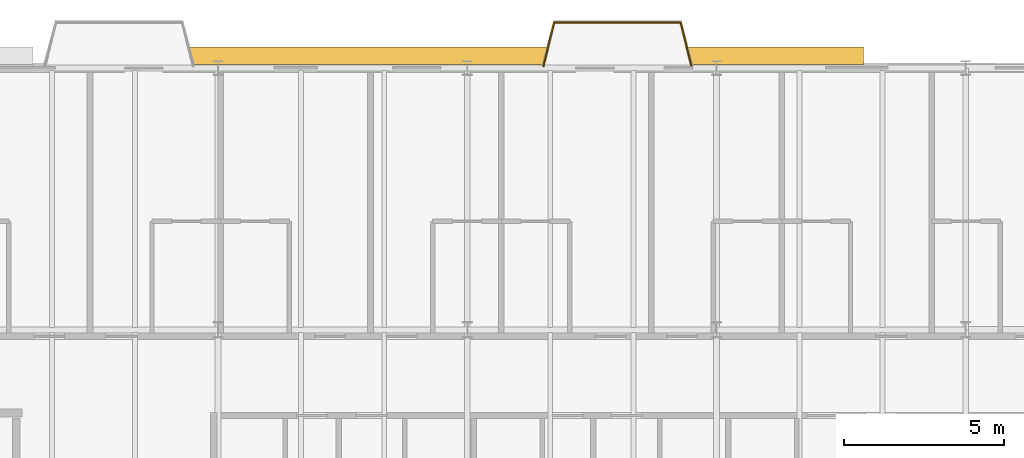
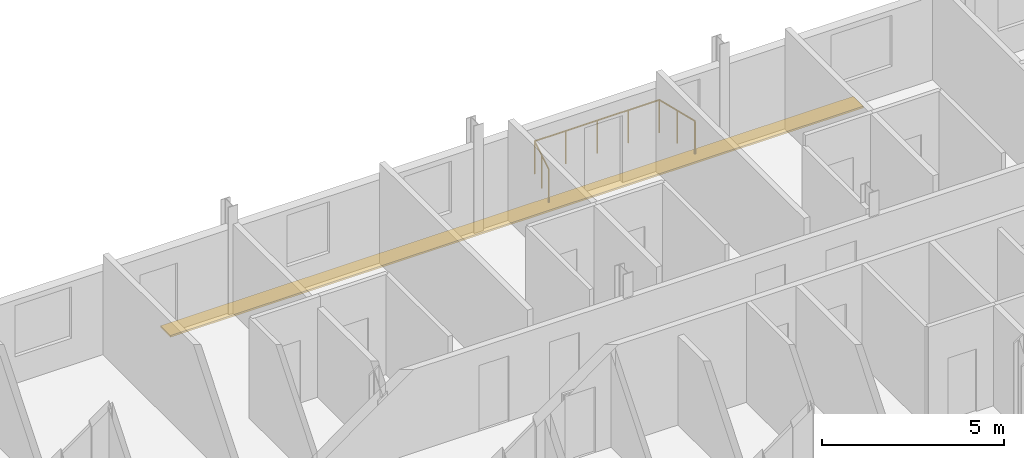
# One storey, part 36 of 36: 3 railings, 1 shading device.
"""IFC4 building model written with IfcOpenShell, lengths in metres."""

import ifcopenshell
import ifcopenshell.guid

model = None  # the IFC model being written
_history = None  # IfcOwnerHistory: only IFC2X3 demands one
_inside = {}  # id of a spatial element -> (the spatial element, [elements in it])
_under = {}  # id of a project, library or spatial element -> (it, [spatial elements below it])
_declared = {}  # id of a project -> (the project, [libraries it declares])
_typed = {}  # id of a type object -> (the type object, [elements of that type])
_made_of = {}  # id of a material, layer set ... -> (it, [elements and type objects made of it])


def new_model(schema):
    """Start an empty IFC model of exactly this schema.

    Asked for "IFC4X3", IfcOpenShell would pick the latest addendum, in which some entities
    have other attributes; the version numbers below select the first issue.
    IFC2X3 requires an IfcOwnerHistory on every rooted entity: one is made here for all.
    """
    global model, _history
    if schema == "IFC4X3":
        model = ifcopenshell.file(schema_version=(4, 3, 0, 0))
    else:
        model = ifcopenshell.file(schema=schema)
    _inside.clear()
    _under.clear()
    _declared.clear()
    _typed.clear()
    _made_of.clear()
    _history = None
    if model.schema == "IFC2X3":
        org = make("IfcOrganization", Name="unknown")
        user = make(
            "IfcPersonAndOrganization",
            ThePerson=make("IfcPerson", FamilyName="unknown"),
            TheOrganization=org,
        )
        app = make(
            "IfcApplication",
            ApplicationDeveloper=org,
            Version="unknown",
            ApplicationFullName="unknown",
            ApplicationIdentifier="unknown",
        )
        _history = make(
            "IfcOwnerHistory",
            OwningUser=user,
            OwningApplication=app,
            ChangeAction="ADDED",
            CreationDate=0,
        )
    return model


def make(cls, **values):
    """One entity of the class cls with the attributes given. An attribute that is None is left unset."""
    return model.create_entity(
        cls, **{name: value for name, value in values.items() if value is not None}
    )


def rooted(cls, **values):
    """An entity with a GlobalId (a new one), such as an element, a storey or a relation."""
    return make(cls, GlobalId=ifcopenshell.guid.new(), OwnerHistory=_history, **values)


def si_unit(unit_type, name, prefix=None):
    """IfcSIUnit, for example si_unit("LENGTHUNIT", "METRE", prefix="MILLI")."""
    return make("IfcSIUnit", UnitType=unit_type, Prefix=prefix, Name=name)


def assignment(units):
    """IfcUnitAssignment: the units of a project."""
    return None if units is None else make("IfcUnitAssignment", Units=units)


def point(xyz):
    """IfcCartesianPoint."""
    return None if xyz is None else make("IfcCartesianPoint", Coordinates=xyz)


def direction(xyz):
    """IfcDirection."""
    return None if xyz is None else make("IfcDirection", DirectionRatios=xyz)


def frame(location, z_axis=None, x_axis=None):
    """IfcAxis2Placement3D, a coordinate frame: its origin and axes. An axis left out is left unset."""
    return make(
        "IfcAxis2Placement3D",
        Location=point(location),
        Axis=direction(z_axis),
        RefDirection=direction(x_axis),
    )


def frame_2d(location, x_axis=None):
    """IfcAxis2Placement2D, a coordinate frame in the plane: its origin and x axis."""
    return make(
        "IfcAxis2Placement2D", Location=point(location), RefDirection=direction(x_axis)
    )


def origin():
    """The frame at (0, 0, 0) with its axes left unset."""
    return frame((0.0, 0.0, 0.0))


def origin_2d():
    """The frame at (0, 0) in the plane with its x axis left unset."""
    return frame_2d((0.0, 0.0))


def place(relative_to, where):
    """IfcLocalPlacement: puts the frame where relative to a parent placement (None: the world)."""
    return make(
        "IfcLocalPlacement", PlacementRelTo=relative_to, RelativePlacement=where
    )


def context(
    kind, dimensions, precision=None, world=None, true_north=None, identifier=None
):
    """IfcGeometricRepresentationContext, for example the 3D "Model" context."""
    return make(
        "IfcGeometricRepresentationContext",
        ContextIdentifier=identifier,
        ContextType=kind,
        CoordinateSpaceDimension=dimensions,
        Precision=precision,
        WorldCoordinateSystem=world,
        TrueNorth=true_north,
    )


def subcontext(parent, identifier, kind, view, scale=None):
    """IfcGeometricRepresentationSubContext, for example "Body" below "Model"."""
    return make(
        "IfcGeometricRepresentationSubContext",
        ContextIdentifier=identifier,
        ContextType=kind,
        ParentContext=parent,
        TargetScale=scale,
        TargetView=view,
    )


def project(units=None, contexts=None):
    """IfcProject with its units and contexts."""
    return rooted(
        "IfcProject",
        Name="project",
        RepresentationContexts=contexts,
        UnitsInContext=assignment(units),
    )


def spatial(cls, under=None, at=None, **own):
    """A site, building, storey or space (cls), placed at a placement, below another one or the project."""
    s = rooted(cls, ObjectPlacement=at, **own)
    if under is not None:
        _under.setdefault(under.id(), (under, []))[1].append(s)
    return s


def profile(cls, at=None, kind="AREA", **sizes):
    """A parametric profile (cls). Its sizes go by their IFC names, for example OverallWidth=200.0."""
    return make(cls, ProfileType=kind, Position=at, **sizes)


def rectangle(**sizes):
    """IfcRectangleProfileDef."""
    return profile("IfcRectangleProfileDef", **sizes)


def circle(**sizes):
    """IfcCircleProfileDef."""
    return profile("IfcCircleProfileDef", **sizes)


def extrude(swept, where, along, depth):
    """IfcExtrudedAreaSolid: the profile swept, set in the frame where, extruded along a direction by depth."""
    return make(
        "IfcExtrudedAreaSolid",
        SweptArea=swept,
        Position=where,
        ExtrudedDirection=direction(along),
        Depth=depth,
    )


def shape(context_of_items, identifier, shape_type, items):
    """IfcShapeRepresentation: the items that make up one representation, for example the "Body"."""
    return make(
        "IfcShapeRepresentation",
        ContextOfItems=context_of_items,
        RepresentationIdentifier=identifier,
        RepresentationType=shape_type,
        Items=items,
    )


def material(Name=None, Category=None):
    """IfcMaterial."""
    return make("IfcMaterial", Name=Name, Category=Category)


def layer(
    of_material, thickness, ventilated=None, Name=None, Category=None, Priority=None
):
    """IfcMaterialLayer: one layer of a wall or slab, of a material (None: an air gap)."""
    return make(
        "IfcMaterialLayer",
        Material=of_material,
        LayerThickness=thickness,
        IsVentilated=ventilated,
        Name=Name,
        Category=Category,
        Priority=Priority,
    )


def layer_set(layers, Name=None):
    """IfcMaterialLayerSet."""
    return make("IfcMaterialLayerSet", MaterialLayers=layers, LayerSetName=Name)


def made_of(thing, what):
    """Note that an element or type object is made of a material, layer set ...; save() writes the relation."""
    if what is not None:
        _made_of.setdefault(what.id(), (what, []))[1].append(thing)
    return thing


def type_object(cls, material=None, **own):
    """A type object (cls), such as IfcWallType, which elements share."""
    return made_of(rooted(cls, **own), material)


def element(
    cls,
    number,
    at=None,
    inside=None,
    cuts=None,
    type_object=None,
    material=None,
    context=None,
    identifier="Body",
    shape_type=None,
    held_by="IfcProductDefinitionShape",
    body=None,
    shapes=None,
    **own,
):
    """One element of the class cls, such as IfcWall. Its Tag is "e" and its number.

    at: its placement. inside: the storey or other place that contains it. cuts: it is an
    opening in that element (IfcRelVoidsElement). A single representation is given by context,
    identifier, shape_type and body (its items); several are given by shapes. held_by: the class
    of the entity that holds the representations. save() writes the other relations.
    """
    e = rooted(cls, Tag="e%d" % number, ObjectPlacement=at, **own)
    if body is not None:
        shapes = [shape(context, identifier, shape_type, body)]
    if shapes is not None:
        e.Representation = make(held_by, Representations=shapes)
    if inside is not None:
        _inside.setdefault(inside.id(), (inside, []))[1].append(e)
    if cuts is not None:
        rooted(
            "IfcRelVoidsElement", RelatingBuildingElement=cuts, RelatedOpeningElement=e
        )
    if type_object is not None:
        _typed.setdefault(type_object.id(), (type_object, []))[1].append(e)
    return made_of(e, material)


def aggregate(whole, parts):
    """IfcRelAggregates: a whole, such as a stair, and the parts it consists of."""
    return rooted("IfcRelAggregates", RelatingObject=whole, RelatedObjects=parts)


def save(model, path):
    """Write the relations noted so far, then the file.

    IfcRelAggregates (storeys below a building ...), IfcRelContainedInSpatialStructure (elements
    in a storey), IfcRelDefinesByType, IfcRelAssociatesMaterial and IfcRelDeclares: one each for
    every whole, place, type object, material and project.
    """
    for whole, parts in _under.values():
        aggregate(whole, parts)
    for where, things in _inside.values():
        rooted(
            "IfcRelContainedInSpatialStructure",
            RelatedElements=things,
            RelatingStructure=where,
        )
    for kind, things in _typed.values():
        rooted("IfcRelDefinesByType", RelatedObjects=things, RelatingType=kind)
    for what, things in _made_of.values():
        rooted("IfcRelAssociatesMaterial", RelatedObjects=things, RelatingMaterial=what)
    for by, libraries in _declared.values():
        rooted("IfcRelDeclares", RelatingContext=by, RelatedDefinitions=libraries)
    model.write(path)


model = new_model("IFC4")

# Units and contexts
model_context = context("Model", 3, precision=1e-05, world=origin(), true_north=direction((0.0, 1.0)))
body_context = subcontext(model_context, "Body", "Model", "MODEL_VIEW")
ifc_project = project(units=[si_unit("LENGTHUNIT", "METRE"), si_unit("AREAUNIT", "SQUARE_METRE"), si_unit("VOLUMEUNIT", "CUBIC_METRE"), si_unit("PLANEANGLEUNIT", "RADIAN"), si_unit("MASSUNIT", "GRAM", prefix="KILO")], contexts=[model_context])

# Site, building, storey
site_placement = place(None, origin())
site = spatial("IfcSite", under=ifc_project, at=site_placement, CompositionType="ELEMENT")
building_placement = place(site_placement, origin())
building = spatial("IfcBuilding", under=site, at=building_placement, Name="Sefraquen Railside Congress Hotel", CompositionType="ELEMENT")
storey_placement = place(building_placement, frame((0.0, 0.0, 28.199951171875)))
storey = spatial("IfcBuildingStorey", under=building, at=storey_placement, Name="L06", CompositionType="ELEMENT", Elevation=28.199951171875)

# Railings
ifc_material_1 = material(Name="Patinated wrought architectural bronze", Category="metal")
railing_type = type_object("IfcRailingType", Name="TRL-BAL-110", PredefinedType="BALUSTRADE", material=ifc_material_1)
railing_1_placement = place(storey_placement, frame((89.97998046875, 118.050048828125, 0.0)))
element("IfcRailing", 1, at=railing_1_placement, inside=storey, type_object=railing_type, Name="Guest balcony Art Nouveau balustrade L06-05", PredefinedType="BALUSTRADE", context=body_context, shape_type="SweptSolid", body=[
    extrude(circle(Radius=0.02392578125, at=origin_2d()), frame((0.0, 0.0, 1.09619140625), z_axis=(0.240948040829, 0.970538016577, 0.0), x_axis=(-0.970538016577, 0.240948040829, 0.0)), (0.0, 0.0, 1.0), 1.411376953125),
    extrude(circle(Radius=0.02099609375, at=origin_2d()), origin(), (0.0, 0.0, 1.0), 1.072021484375),
    extrude(circle(Radius=0.02099609375, at=origin_2d()), frame((0.169921875, 0.68505859375, 0.0)), (0.0, 0.0, 1.0), 1.072021484375),
    extrude(circle(Radius=0.02099609375, at=origin_2d()), frame((0.340087890625, 1.369873046875, 0.0)), (0.0, 0.0, 1.0), 1.072021484375),
])
railing_2_placement = place(storey_placement, frame((90.320068359375, 119.419921875, 0.0)))
element("IfcRailing", 2, at=railing_2_placement, inside=storey, type_object=railing_type, Name="Guest balcony Art Nouveau balustrade L06-05", PredefinedType="BALUSTRADE", context=body_context, shape_type="SweptSolid", body=[
    extrude(circle(Radius=0.02392578125, at=origin_2d()), frame((0.0, 0.0, 1.09619140625), z_axis=(1.0, 0.0, 0.0), x_axis=(0.0, 1.0, 0.0)), (0.0, 0.0, 1.0), 3.9599609375),
    extrude(circle(Radius=0.02099609375, at=origin_2d()), origin(), (0.0, 0.0, 1.0), 1.072021484375),
    extrude(circle(Radius=0.02099609375, at=origin_2d()), frame((0.989990234375, 0.0, 0.0)), (0.0, 0.0, 1.0), 1.072021484375),
    extrude(circle(Radius=0.02099609375, at=origin_2d()), frame((1.97998046875, 0.0, 0.0)), (0.0, 0.0, 1.0), 1.072021484375),
    extrude(circle(Radius=0.02099609375, at=origin_2d()), frame((2.969970703125, 0.0, 0.0)), (0.0, 0.0, 1.0), 1.072021484375),
    extrude(circle(Radius=0.02099609375, at=origin_2d()), frame((3.9599609375, 0.0, 0.0)), (0.0, 0.0, 1.0), 1.072021484375),
])
railing_3_placement = place(storey_placement, frame((94.280029296875, 119.419921875, 0.0)))
element("IfcRailing", 3, at=railing_3_placement, inside=storey, type_object=railing_type, Name="Guest balcony Art Nouveau balustrade L06-05", PredefinedType="BALUSTRADE", context=body_context, shape_type="SweptSolid", body=[
    extrude(circle(Radius=0.02392578125, at=origin_2d()), frame((0.0, 0.0, 1.09619140625), z_axis=(0.240948040829, -0.970538016577, 0.0), x_axis=(0.970538016577, 0.240948040829, 0.0)), (0.0, 0.0, 1.0), 1.411376953125),
    extrude(circle(Radius=0.02099609375, at=origin_2d()), origin(), (0.0, 0.0, 1.0), 1.072021484375),
    extrude(circle(Radius=0.02099609375, at=origin_2d()), frame((0.169921875, -0.68505859375, 0.0)), (0.0, 0.0, 1.0), 1.072021484375),
    extrude(circle(Radius=0.02099609375, at=origin_2d()), frame((0.340087890625, -1.369873046875, 0.0)), (0.0, 0.0, 1.0), 1.072021484375),
])

# Shading device
ifc_material_2 = material(Name="Patinated architectural bronze", Category="metal")
ifc_layer = layer(ifc_material_2, 0.06005859375)
ifc_layer_set = layer_set([ifc_layer], Name="Patinated architectural bronze")
shading_device_type = type_object("IfcShadingDeviceType", Name="TSH-BS-01", PredefinedType="USERDEFINED", material=ifc_layer_set)
shading_device_placement = place(storey_placement, frame((89.0, 118.3798828125, -0.3798828125), z_axis=(0.0, 0.0, 1.0), x_axis=(1.0, 0.0, 0.0)))
element("IfcShadingDevice", 4, at=shading_device_placement, inside=storey, type_object=shading_device_type, Name="Hotel North Boulevard window sunshade L06-3", ObjectType="BRISE SOLEIL", PredefinedType="USERDEFINED", context=body_context, shape_type="SweptSolid", body=[
    extrude(rectangle(XDim=22.0, YDim=0.550048828125, at=origin_2d()), origin(), (0.0, 0.0, 1.0), 0.06005859375),
])

save(model, "model.ifc")
